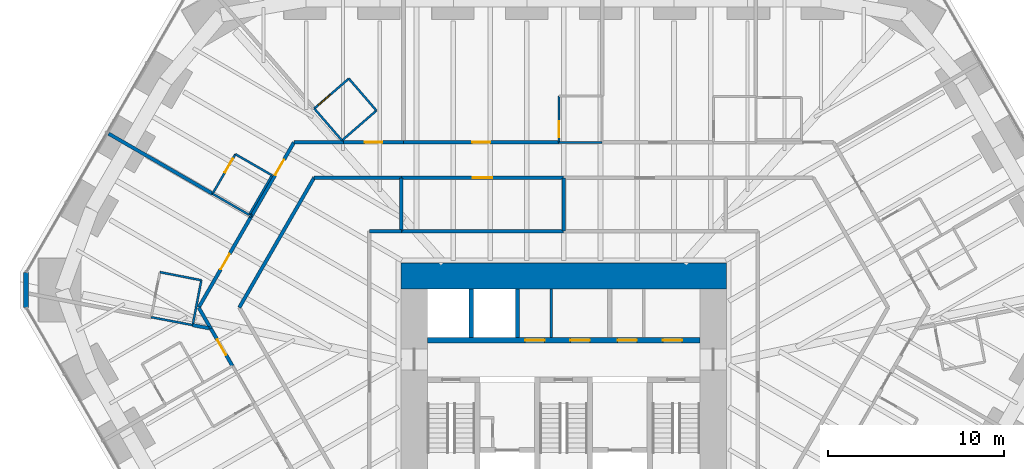
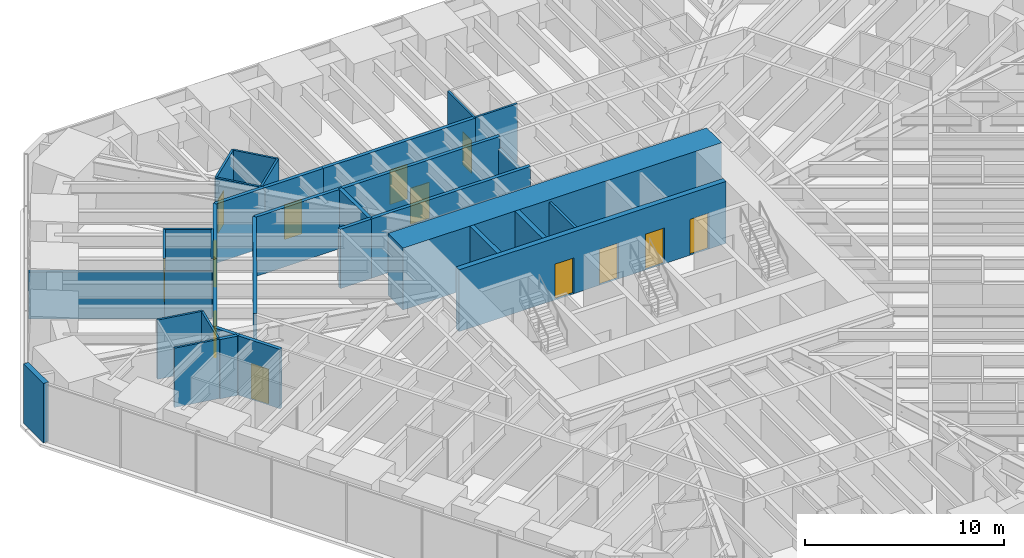
# One storey, part 14 of 17: 36 walls, 13 doors, 13 openings.
"""IFC4 building model written with IfcOpenShell, lengths in metres."""

from ifc_helpers import new_model, si_unit, direction, frame, frame_2d, origin, place, context, subcontext, project, spatial, rectangle, extrude, material, layer, layer_set, type_object, element, fill, save


model = new_model("IFC4")

# Units and contexts
model_context = context("Model", 3, precision=1e-05, world=origin(), true_north=direction((0.0, 1.0)))
body_context = subcontext(model_context, "Body", "Model", "MODEL_VIEW")
ifc_project = project(units=[si_unit("LENGTHUNIT", "METRE"), si_unit("AREAUNIT", "SQUARE_METRE"), si_unit("VOLUMEUNIT", "CUBIC_METRE"), si_unit("PLANEANGLEUNIT", "RADIAN"), si_unit("MASSUNIT", "GRAM", prefix="KILO")], contexts=[model_context])

# Site, building, storey
site_placement = place(None, origin())
site = spatial("IfcSite", under=ifc_project, at=site_placement, CompositionType="ELEMENT")
building_placement = place(site_placement, origin())
building = spatial("IfcBuilding", under=site, at=building_placement, Name="Sandreach Pilgrim Tower", CompositionType="ELEMENT")
storey_placement = place(building_placement, frame((0.0, 0.0, 57.199951171875)))
storey = spatial("IfcBuildingStorey", under=building, at=storey_placement, Name="L13", CompositionType="ELEMENT", Elevation=57.199951171875)

# Walls
ifc_material_1 = material(Name="Gypsum board on steel studs", Category="steel")
ifc_layer_1 = layer(ifc_material_1, 0.14990234375)
ifc_layer_set_1 = layer_set([ifc_layer_1], Name="Back of house wall 150")
wall_type_1 = type_object("IfcWallType", Name="Back of house wall 150", PredefinedType="PARTITIONING", material=ifc_layer_set_1)
wall_1_placement = place(storey_placement, frame((-0.699951171875, 3.35009765625, 0.0), z_axis=(0.0, 0.0, 1.0), x_axis=(0.0, 1.0, 0.0)))
element("IfcWall", 1, at=wall_1_placement, inside=storey, type_object=wall_type_1, Name="Core room partition L13 1", PredefinedType="PARTITIONING", context=body_context, shape_type="SweptSolid", body=[
    extrude(rectangle(XDim=2.75, YDim=0.14990234375, at=frame_2d((1.375, 0.0))), origin(), (0.0, 0.0, 1.0), 3.64013671875),
])
ifc_material_2 = material(Name="Moisture-resistant gypsum board on steel studs", Category="steel")
ifc_layer_2 = layer(ifc_material_2, 0.1201171875)
ifc_layer_set_2 = layer_set([ifc_layer_2], Name="Bathroom partition 120")
wall_type_2 = type_object("IfcWallType", Name="Bathroom partition 120", PredefinedType="PARTITIONING", material=ifc_layer_set_2)
wall_2_placement = place(storey_placement, frame((-23.4599609375, 4.510009765625, 0.0), z_axis=(0.0, 0.0, 1.0), x_axis=(0.982228999139, -0.187686422658, 0.0)))
element("IfcWall", 2, at=wall_2_placement, inside=storey, type_object=wall_type_2, Name="Bathroom partition L13-005", PredefinedType="PARTITIONING", context=body_context, shape_type="SweptSolid", body=[
    extrude(rectangle(XDim=2.402587890625, YDim=0.1201171875, at=frame_2d((1.201171875, 0.0))), origin(), (0.0, 0.0, 1.0), 3.64013671875),
])
wall_3_placement = place(storey_placement, frame((-21.10009765625, 4.06005859375, 0.0), z_axis=(0.0, 0.0, 1.0), x_axis=(0.188697442844, 0.982035271802, 0.0)))
element("IfcWall", 3, at=wall_3_placement, inside=storey, type_object=wall_type_2, Name="Bathroom partition L13-013", PredefinedType="PARTITIONING", context=body_context, shape_type="SweptSolid", body=[
    extrude(rectangle(XDim=2.5966796875, YDim=0.1201171875, at=frame_2d((1.29833984375, 0.0))), origin(), (0.0, 0.0, 1.0), 3.64013671875),
])
wall_4_placement = place(storey_placement, frame((-20.610107421875, 6.610107421875, 0.0), z_axis=(0.0, 0.0, 1.0), x_axis=(-0.981376361672, 0.192094863937, 0.0)))
element("IfcWall", 4, at=wall_4_placement, inside=storey, type_object=wall_type_2, Name="Bathroom partition L13-016", PredefinedType="PARTITIONING", context=body_context, shape_type="SweptSolid", body=[
    extrude(rectangle(XDim=2.39453125, YDim=0.1201171875, at=frame_2d((1.197265625, 0.0))), origin(), (0.0, 0.0, 1.0), 3.64013671875),
])
wall_5_placement = place(storey_placement, frame((-19.969970703125, 11.530029296875, 0.0), z_axis=(0.0, 0.0, 1.0), x_axis=(0.866177122335, -0.499737123639, 0.0)))
element("IfcWall", 5, at=wall_5_placement, inside=storey, type_object=wall_type_2, Name="Bathroom partition L13-021", PredefinedType="PARTITIONING", context=body_context, shape_type="SweptSolid", body=[
    extrude(rectangle(XDim=2.401123046875, YDim=0.1201171875, at=frame_2d((1.20068359375, 0.0))), origin(), (0.0, 0.0, 1.0), 2.8603515625),
])

# Wall, opening, door
wall_6_placement = place(storey_placement, frame((-18.669921875, 13.780029296875, 0.0), z_axis=(0.0, 0.0, 1.0), x_axis=(-0.500291685314, -0.865856933682, 0.0)))
wall_6 = element("IfcWall", 6, at=wall_6_placement, inside=storey, type_object=wall_type_2, Name="Bathroom partition L13-024", PredefinedType="PARTITIONING", context=body_context, shape_type="SweptSolid", body=[
    extrude(rectangle(XDim=2.5986328125, YDim=0.1201171875, at=frame_2d((1.29931640625, 0.0))), origin(), (0.0, 0.0, 1.0), 3.64013671875),
])
opening_1_placement = place(wall_6_placement, frame((0.300048828125, 0.0, 0.0)))
opening_1 = element("IfcOpeningElement", 7, at=opening_1_placement, cuts=wall_6, Name="Opening D09-20B", PredefinedType="OPENING", context=body_context, shape_type="SweptSolid", body=[
    extrude(rectangle(XDim=0.89990234375, YDim=2.030029296875, at=frame_2d((0.449951171875, 1.01513671875))), frame((0.0, 0.06005859375, 0.0), z_axis=(0.0, -1.0, 0.0), x_axis=(1.0, 0.0, 0.0)), (0.0, 0.0, 1.0), 0.1201171875),
])
ifc_material_3 = material(Name="Timber door, steel frame", Category="steel")
door_type_1 = type_object("IfcDoorType", Name="Bathroom door", OperationType="SINGLE_SWING_LEFT", PredefinedType="DOOR", material=ifc_material_3)
door_1_placement = place(opening_1_placement, origin())
door_1 = element("IfcDoor", 8, at=door_1_placement, inside=storey, type_object=door_type_1, Name="Door 1320B", OperationType="SINGLE_SWING_LEFT", OverallHeight=2.030029296875, OverallWidth=0.89990234375, PredefinedType="DOOR", context=body_context, shape_type="SweptSolid", body=[
    extrude(rectangle(XDim=0.89990234375, YDim=2.030029296875, at=frame_2d((0.449951171875, 1.01513671875))), frame((0.0, 0.02490234375, 0.0), z_axis=(0.0, -1.0, 0.0), x_axis=(1.0, 0.0, 0.0)), (0.0, 0.0, 1.0), 0.050048828125),
])
fill(opening_1, door_1)

# Walls
wall_7_placement = place(storey_placement, frame((-17.889892578125, 10.330078125, 0.0), z_axis=(0.0, 0.0, 1.0), x_axis=(0.500221244143, 0.865897630733, 0.0)))
element("IfcWall", 9, at=wall_7_placement, inside=storey, type_object=wall_type_2, Name="Bathroom partition L13-026", PredefinedType="PARTITIONING", context=body_context, shape_type="SweptSolid", body=[
    extrude(rectangle(XDim=2.598388671875, YDim=0.1201171875, at=frame_2d((1.29931640625, 0.0))), origin(), (0.0, 0.0, 1.0), 3.64013671875),
])
wall_8_placement = place(storey_placement, frame((-16.590087890625, 12.580078125, 0.0), z_axis=(0.0, 0.0, 1.0), x_axis=(-0.866177122335, 0.499737123639, 0.0)))
element("IfcWall", 10, at=wall_8_placement, inside=storey, type_object=wall_type_2, Name="Bathroom partition L13-033", PredefinedType="PARTITIONING", context=body_context, shape_type="SweptSolid", body=[
    extrude(rectangle(XDim=2.401123046875, YDim=0.1201171875, at=frame_2d((1.20068359375, 0.0))), origin(), (0.0, 0.0, 1.0), 3.64013671875),
])
wall_9_placement = place(storey_placement, frame((-14.1845703125, 16.3759765625, 0.0), z_axis=(0.0, 0.0, 1.0), x_axis=(0.655147063502, -0.755501373384, 0.0)))
element("IfcWall", 11, at=wall_9_placement, inside=storey, type_object=wall_type_2, Name="Bathroom partition L13-038", PredefinedType="PARTITIONING", context=body_context, shape_type="SweptSolid", body=[
    extrude(rectangle(XDim=2.403564453125, YDim=0.1201171875, at=frame_2d((1.20166015625, 0.0))), origin(), (0.0, 0.0, 1.0), 3.64013671875),
])
wall_10_placement = place(storey_placement, frame((-12.610107421875, 14.56005859375, 0.0), z_axis=(0.0, 0.0, 1.0), x_axis=(0.755437535555, 0.655220672655, 0.0)))
element("IfcWall", 12, at=wall_10_placement, inside=storey, type_object=wall_type_2, Name="Bathroom partition L13-040", PredefinedType="PARTITIONING", context=body_context, shape_type="SweptSolid", body=[
    extrude(rectangle(XDim=2.594482421875, YDim=0.1201171875, at=frame_2d((1.29736328125, 0.0))), origin(), (0.0, 0.0, 1.0), 3.64013671875),
])

# Wall, opening, door
wall_11_placement = place(storey_placement, frame((-12.219970703125, 18.080078125, 0.0), z_axis=(0.0, 0.0, 1.0), x_axis=(-0.755437535555, -0.655220672655, 0.0)))
wall_11 = element("IfcWall", 13, at=wall_11_placement, inside=storey, type_object=wall_type_2, Name="Bathroom partition L13-044", PredefinedType="PARTITIONING", context=body_context, shape_type="SweptSolid", body=[
    extrude(rectangle(XDim=2.594482421875, YDim=0.1201171875, at=frame_2d((1.29736328125, 0.0))), origin(), (0.0, 0.0, 1.0), 3.64013671875),
])
opening_2_placement = place(wall_11_placement, frame((1.39453125, 0.0, 0.0)))
opening_2 = element("IfcOpeningElement", 14, at=opening_2_placement, cuts=wall_11, Name="Opening D09-01B", PredefinedType="OPENING", context=body_context, shape_type="SweptSolid", body=[
    extrude(rectangle(XDim=0.89990234375, YDim=2.030029296875, at=frame_2d((0.449951171875, 1.01513671875))), frame((0.0, 0.06005859375, 0.0), z_axis=(0.0, -1.0, 0.0), x_axis=(1.0, 0.0, 0.0)), (0.0, 0.0, 1.0), 0.1201171875),
])
door_2_placement = place(opening_2_placement, origin())
door_2 = element("IfcDoor", 15, at=door_2_placement, inside=storey, type_object=door_type_1, Name="Door 1301B", OperationType="SINGLE_SWING_RIGHT", OverallHeight=2.030029296875, OverallWidth=0.89990234375, PredefinedType="DOOR", context=body_context, shape_type="SweptSolid", body=[
    extrude(rectangle(XDim=0.89990234375, YDim=2.030029296875, at=frame_2d((0.449951171875, 1.01513671875))), frame((0.0, 0.02490234375, 0.0), z_axis=(0.0, -1.0, 0.0), x_axis=(1.0, 0.0, 0.0)), (0.0, 0.0, 1.0), 0.050048828125),
])
fill(opening_2, door_2)

# Wall
wall_12_placement = place(storey_placement, frame((-10.64990234375, 16.260009765625, 0.0), z_axis=(0.0, 0.0, 1.0), x_axis=(-0.653188728136, 0.757195143563, 0.0)))
element("IfcWall", 16, at=wall_12_placement, inside=storey, type_object=wall_type_2, Name="Bathroom partition L13-048", PredefinedType="PARTITIONING", context=body_context, shape_type="SweptSolid", body=[
    extrude(rectangle(XDim=2.40380859375, YDim=0.1201171875, at=frame_2d((1.201904296875, 0.0))), origin(), (0.0, 0.0, 1.0), 3.64013671875),
])

# Wall, opening, door
wall_13_placement = place(storey_placement, frame((-0.260009765625, 17.10009765625, 0.0), z_axis=(0.0, 0.0, 1.0), x_axis=(-0.00377703432, -0.99999286698, 0.0)))
wall_13 = element("IfcWall", 17, at=wall_13_placement, inside=storey, type_object=wall_type_2, Name="Bathroom partition L13-071", PredefinedType="PARTITIONING", context=body_context, shape_type="SweptSolid", body=[
    extrude(rectangle(XDim=2.650146484375, YDim=0.1201171875, at=frame_2d((1.3251953125, 0.0))), origin(), (0.0, 0.0, 1.0), 3.64013671875),
])
opening_3_placement = place(wall_13_placement, frame((1.449951171875, 0.0, 0.0)))
opening_3 = element("IfcOpeningElement", 18, at=opening_3_placement, cuts=wall_13, Name="Opening D09-02B", PredefinedType="OPENING", context=body_context, shape_type="SweptSolid", body=[
    extrude(rectangle(XDim=0.89990234375, YDim=2.030029296875, at=frame_2d((0.449951171875, 1.01513671875))), frame((0.0, 0.06005859375, 0.0), z_axis=(0.0, -1.0, 0.0), x_axis=(1.0, 0.0, 0.0)), (0.0, 0.0, 1.0), 0.1201171875),
])
door_3_placement = place(opening_3_placement, origin())
door_3 = element("IfcDoor", 19, at=door_3_placement, inside=storey, type_object=door_type_1, Name="Door 1302B", OperationType="SINGLE_SWING_RIGHT", OverallHeight=2.030029296875, OverallWidth=0.89990234375, PredefinedType="DOOR", context=body_context, shape_type="SweptSolid", body=[
    extrude(rectangle(XDim=0.89990234375, YDim=2.030029296875, at=frame_2d((0.449951171875, 1.01513671875))), frame((0.0, 0.02490234375, 0.0), z_axis=(0.0, -1.0, 0.0), x_axis=(1.0, 0.0, 0.0)), (0.0, 0.0, 1.0), 0.050048828125),
])
fill(opening_3, door_3)

# Wall
wall_14_placement = place(storey_placement, frame((2.18994140625, 14.449951171875, 0.0), z_axis=(0.0, 0.0, 1.0), x_axis=(-1.0, 0.0, 0.0)))
element("IfcWall", 20, at=wall_14_placement, inside=storey, type_object=wall_type_2, Name="Bathroom partition L13-084", PredefinedType="PARTITIONING", context=body_context, shape_type="SweptSolid", body=[
    extrude(rectangle(XDim=2.4599609375, YDim=0.1201171875, at=frame_2d((1.22998046875, 0.0))), origin(), (0.0, 0.0, 1.0), 3.64013671875),
])

# Wall, openings, doors
ifc_material_4 = material(Name="Concrete 10000 psi", Category="concrete")
ifc_layer_3 = layer(ifc_material_4, 0.300048828125)
ifc_layer_set_3 = layer_set([ifc_layer_3], Name="Core inner wall 300")
wall_type_3 = type_object("IfcWallType", Name="Core inner wall 300", PredefinedType="SHEAR", material=ifc_layer_set_3)
wall_15_placement = place(storey_placement, frame((-7.75, 3.199951171875, 0.0), z_axis=(0.0, 0.0, 1.0), x_axis=(1.0, 0.0, 0.0)))
wall_15 = element("IfcWall", 21, at=wall_15_placement, inside=storey, type_object=wall_type_3, Name="Core wall PN L13", PredefinedType="SHEAR", context=body_context, shape_type="SweptSolid", body=[
    extrude(rectangle(XDim=15.5, YDim=0.300048828125, at=frame_2d((7.75, 0.0))), origin(), (0.0, 0.0, 1.0), 3.800048828125),
])
opening_4_placement = place(wall_15_placement, frame((5.5625, 0.0, 0.0)))
opening_4 = element("IfcOpeningElement", 22, at=opening_4_placement, cuts=wall_15, Name="Opening D11L", PredefinedType="OPENING", context=body_context, shape_type="SweptSolid", body=[
    extrude(rectangle(XDim=1.10009765625, YDim=2.199951171875, at=frame_2d((0.550048828125, 1.10009765625))), frame((0.0, 0.14990234375, 0.0), z_axis=(0.0, -1.0, 0.0), x_axis=(1.0, 0.0, 0.0)), (0.0, 0.0, 1.0), 0.300048828125),
])
opening_5_placement = place(wall_15_placement, frame((8.137451171875, 0.0, 0.0)))
opening_5 = element("IfcOpeningElement", 23, at=opening_5_placement, cuts=wall_15, Name="Opening D11L", PredefinedType="OPENING", context=body_context, shape_type="SweptSolid", body=[
    extrude(rectangle(XDim=1.10009765625, YDim=2.199951171875, at=frame_2d((0.550048828125, 1.10009765625))), frame((0.0, 0.14990234375, 0.0), z_axis=(0.0, -1.0, 0.0), x_axis=(1.0, 0.0, 0.0)), (0.0, 0.0, 1.0), 0.300048828125),
])
opening_6_placement = place(wall_15_placement, frame((10.8125, 0.0, 0.0)))
opening_6 = element("IfcOpeningElement", 24, at=opening_6_placement, cuts=wall_15, Name="Opening D11L", PredefinedType="OPENING", context=body_context, shape_type="SweptSolid", body=[
    extrude(rectangle(XDim=1.10009765625, YDim=2.199951171875, at=frame_2d((0.550048828125, 1.10009765625))), frame((0.0, 0.14990234375, 0.0), z_axis=(0.0, -1.0, 0.0), x_axis=(1.0, 0.0, 0.0)), (0.0, 0.0, 1.0), 0.300048828125),
])
opening_7_placement = place(wall_15_placement, frame((13.387451171875, 0.0, 0.0)))
opening_7 = element("IfcOpeningElement", 25, at=opening_7_placement, cuts=wall_15, Name="Opening D11L", PredefinedType="OPENING", context=body_context, shape_type="SweptSolid", body=[
    extrude(rectangle(XDim=1.10009765625, YDim=2.199951171875, at=frame_2d((0.550048828125, 1.10009765625))), frame((0.0, 0.14990234375, 0.0), z_axis=(0.0, -1.0, 0.0), x_axis=(1.0, 0.0, 0.0)), (0.0, 0.0, 1.0), 0.300048828125),
])
ifc_material_5 = material(Name="Steel door and frame, smoke seals", Category="steel")
door_type_2 = type_object("IfcDoorType", Name="Core room door", OperationType="SINGLE_SWING_LEFT", PredefinedType="DOOR", material=ifc_material_5)
door_4_placement = place(opening_4_placement, origin())
door_4 = element("IfcDoor", 26, at=door_4_placement, inside=storey, type_object=door_type_2, Name="Door guest pantry 13K1", OperationType="SINGLE_SWING_LEFT", OverallHeight=2.199951171875, OverallWidth=1.10009765625, PredefinedType="DOOR", context=body_context, shape_type="SweptSolid", body=[
    extrude(rectangle(XDim=1.10009765625, YDim=2.199951171875, at=frame_2d((0.550048828125, 1.10009765625))), frame((0.0, 0.02490234375, 0.0), z_axis=(0.0, -1.0, 0.0), x_axis=(1.0, 0.0, 0.0)), (0.0, 0.0, 1.0), 0.050048828125),
])
fill(opening_4, door_4)
door_5_placement = place(opening_5_placement, origin())
door_5 = element("IfcDoor", 27, at=door_5_placement, inside=storey, type_object=door_type_2, Name="Door vending and ice room 13K2", OperationType="SINGLE_SWING_RIGHT", OverallHeight=2.199951171875, OverallWidth=1.10009765625, PredefinedType="DOOR", context=body_context, shape_type="SweptSolid", body=[
    extrude(rectangle(XDim=1.10009765625, YDim=2.199951171875, at=frame_2d((0.550048828125, 1.10009765625))), frame((0.0, 0.02490234375, 0.0), z_axis=(0.0, -1.0, 0.0), x_axis=(1.0, 0.0, 0.0)), (0.0, 0.0, 1.0), 0.050048828125),
])
fill(opening_5, door_5)
door_6_placement = place(opening_6_placement, origin())
door_6 = element("IfcDoor", 28, at=door_6_placement, inside=storey, type_object=door_type_2, Name="Door it room 13K3", OperationType="SINGLE_SWING_RIGHT", OverallHeight=2.199951171875, OverallWidth=1.10009765625, PredefinedType="DOOR", context=body_context, shape_type="SweptSolid", body=[
    extrude(rectangle(XDim=1.10009765625, YDim=2.199951171875, at=frame_2d((0.550048828125, 1.10009765625))), frame((0.0, 0.02490234375, 0.0), z_axis=(0.0, -1.0, 0.0), x_axis=(1.0, 0.0, 0.0)), (0.0, 0.0, 1.0), 0.050048828125),
])
fill(opening_6, door_6)
door_7_placement = place(opening_7_placement, origin())
door_7 = element("IfcDoor", 29, at=door_7_placement, inside=storey, type_object=door_type_2, Name="Door refuse room 13K4", OperationType="SINGLE_SWING_RIGHT", OverallHeight=2.199951171875, OverallWidth=1.10009765625, PredefinedType="DOOR", context=body_context, shape_type="SweptSolid", body=[
    extrude(rectangle(XDim=1.10009765625, YDim=2.199951171875, at=frame_2d((0.550048828125, 1.10009765625))), frame((0.0, 0.02490234375, 0.0), z_axis=(0.0, -1.0, 0.0), x_axis=(1.0, 0.0, 0.0)), (0.0, 0.0, 1.0), 0.050048828125),
])
fill(opening_7, door_7)

# Walls
ifc_material_6 = material(Name="Concrete 10000 psi", Category="concrete")
ifc_layer_4 = layer(ifc_material_6, 1.5)
ifc_layer_set_4 = layer_set([ifc_layer_4], Name="Core wall 1500")
wall_type_4 = type_object("IfcWallType", Name="Core wall 1500", PredefinedType="SHEAR", material=ifc_layer_set_4)
wall_16_placement = place(storey_placement, frame((-9.25, 6.85009765625, 0.0), z_axis=(0.0, 0.0, 1.0), x_axis=(1.0, 0.0, 0.0)))
element("IfcWall", 30, at=wall_16_placement, inside=storey, type_object=wall_type_4, Name="Core wall N L13", PredefinedType="SHEAR", context=body_context, shape_type="SweptSolid", body=[
    extrude(rectangle(XDim=18.5, YDim=1.5, at=frame_2d((9.25, 0.0))), origin(), (0.0, 0.0, 1.0), 3.800048828125),
])
ifc_material_7 = material(Name="Gypsum board on steel studs, two layers each side", Category="steel")
ifc_layer_5 = layer(ifc_material_7, 0.199951171875)
ifc_layer_set_5 = layer_set([ifc_layer_5], Name="Corridor wall 200")
wall_type_5 = type_object("IfcWallType", Name="Corridor wall 200", PredefinedType="PARTITIONING", material=ifc_layer_set_5)
wall_17_placement = place(storey_placement, frame((-20.760009765625, 5.06005859375, 0.0), z_axis=(0.0, 0.0, 1.0), x_axis=(0.49845455473, -0.866915830325, 0.0)))
element("IfcWall", 31, at=wall_17_placement, inside=storey, type_object=wall_type_5, Name="Corridor wall L13-014", PredefinedType="PARTITIONING", context=body_context, shape_type="SweptSolid", body=[
    extrude(rectangle(XDim=1.38427734375, YDim=0.199951171875, at=frame_2d((0.692138671875, 0.0))), origin(), (0.0, 0.0, 1.0), 3.64013671875),
])

# Wall, opening, door
wall_18_placement = place(storey_placement, frame((-20.74755859375, 5.08154296875, 0.0), z_axis=(0.0, 0.0, 1.0), x_axis=(0.499925128535, 0.86606862653, 0.0)))
wall_18 = element("IfcWall", 32, at=wall_18_placement, inside=storey, type_object=wall_type_5, Name="Corridor wall L13-015", PredefinedType="PARTITIONING", context=body_context, shape_type="SweptSolid", body=[
    extrude(rectangle(XDim=5.978515625, YDim=0.199951171875, at=frame_2d((2.9892578125, 0.0))), origin(), (0.0, 0.0, 1.0), 3.64013671875),
])
opening_8_placement = place(wall_18_placement, frame((2.489013671875, 0.0, 0.0)))
opening_8 = element("IfcOpeningElement", 33, at=opening_8_placement, cuts=wall_18, Name="Opening D10-19", PredefinedType="OPENING", context=body_context, shape_type="SweptSolid", body=[
    extrude(rectangle(XDim=1.0, YDim=2.1298828125, at=frame_2d((0.5, 1.06494140625))), frame((0.0, 0.10009765625, 0.0), z_axis=(0.0, -1.0, 0.0), x_axis=(1.0, 0.0, 0.0)), (0.0, 0.0, 1.0), 0.199951171875),
])
ifc_material_8 = material(Name="Steel door and frame", Category="steel")
door_type_3 = type_object("IfcDoorType", Name="Guest room entry door", OperationType="SINGLE_SWING_LEFT", PredefinedType="DOOR", material=ifc_material_8)
door_8_placement = place(opening_8_placement, origin())
door_8 = element("IfcDoor", 34, at=door_8_placement, inside=storey, type_object=door_type_3, Name="Door 1319", OperationType="SINGLE_SWING_LEFT", OverallHeight=2.1298828125, OverallWidth=1.0, PredefinedType="DOOR", context=body_context, shape_type="SweptSolid", body=[
    extrude(rectangle(XDim=1.0, YDim=2.1298828125, at=frame_2d((0.5, 1.06494140625))), frame((0.0, 0.02490234375, 0.0), z_axis=(0.0, -1.0, 0.0), x_axis=(1.0, 0.0, 0.0)), (0.0, 0.0, 1.0), 0.050048828125),
])
fill(opening_8, door_8)

wall_19_placement = place(storey_placement, frame((-20.06982421875, 3.860107421875, 0.0), z_axis=(0.0, 0.0, 1.0), x_axis=(0.501738959866, -0.865019084271, 0.0)))
wall_19 = element("IfcWall", 35, at=wall_19_placement, inside=storey, type_object=wall_type_5, Name="Corridor wall L13-020", PredefinedType="PARTITIONING", context=body_context, shape_type="SweptSolid", body=[
    extrude(rectangle(XDim=2.450927734375, YDim=0.199951171875, at=frame_2d((1.2255859375, 0.0))), origin(), (0.0, 0.0, 1.0), 3.64013671875),
])
opening_9_placement = place(wall_19_placement, frame((0.7255859375, 0.0, 0.0)))
opening_9 = element("IfcOpeningElement", 36, at=opening_9_placement, cuts=wall_19, Name="Opening D10-18", PredefinedType="OPENING", context=body_context, shape_type="SweptSolid", body=[
    extrude(rectangle(XDim=1.0, YDim=2.1298828125, at=frame_2d((0.5, 1.06494140625))), frame((0.0, 0.10009765625, 0.0), z_axis=(0.0, -1.0, 0.0), x_axis=(1.0, 0.0, 0.0)), (0.0, 0.0, 1.0), 0.199951171875),
])
door_9_placement = place(opening_9_placement, origin())
door_9 = element("IfcDoor", 37, at=door_9_placement, inside=storey, type_object=door_type_3, Name="Door 1318", OperationType="SINGLE_SWING_LEFT", OverallHeight=2.1298828125, OverallWidth=1.0, PredefinedType="DOOR", context=body_context, shape_type="SweptSolid", body=[
    extrude(rectangle(XDim=1.0, YDim=2.1298828125, at=frame_2d((0.5, 1.06494140625))), frame((0.0, 0.02490234375, 0.0), z_axis=(0.0, -1.0, 0.0), x_axis=(1.0, 0.0, 0.0)), (0.0, 0.0, 1.0), 0.050048828125),
])
fill(opening_9, door_9)

# Wall
wall_20_placement = place(storey_placement, frame((-18.449951171875, 5.06005859375, 0.0), z_axis=(0.0, 0.0, 1.0), x_axis=(0.499424260127, 0.866357552282, 0.0)))
element("IfcWall", 38, at=wall_20_placement, inside=storey, type_object=wall_type_5, Name="Corridor wall L13-025", PredefinedType="PARTITIONING", context=body_context, shape_type="SweptSolid", body=[
    extrude(rectangle(XDim=8.52978515625, YDim=0.199951171875, at=frame_2d((4.264892578125, 0.0))), origin(), (0.0, 0.0, 1.0), 3.64013671875),
])

# Wall, opening, door
wall_21_placement = place(storey_placement, frame((-17.7587890625, 10.25927734375, 0.0), z_axis=(0.0, 0.0, 1.0), x_axis=(0.499878240725, 0.866095690123, 0.0)))
wall_21 = element("IfcWall", 39, at=wall_21_placement, inside=storey, type_object=wall_type_5, Name="Corridor wall L13-028", PredefinedType="PARTITIONING", context=body_context, shape_type="SweptSolid", body=[
    extrude(rectangle(XDim=4.838623046875, YDim=0.199951171875, at=frame_2d((2.41943359375, 0.0))), origin(), (0.0, 0.0, 1.0), 3.64013671875),
])
opening_10_placement = place(wall_21_placement, frame((2.699951171875, 0.0, 0.0)))
opening_10 = element("IfcOpeningElement", 40, at=opening_10_placement, cuts=wall_21, Name="Opening D10-20", PredefinedType="OPENING", context=body_context, shape_type="SweptSolid", body=[
    extrude(rectangle(XDim=1.0, YDim=2.1298828125, at=frame_2d((0.5, 1.06494140625))), frame((0.0, 0.10009765625, 0.0), z_axis=(0.0, -1.0, 0.0), x_axis=(1.0, 0.0, 0.0)), (0.0, 0.0, 1.0), 0.199951171875),
])
door_10_placement = place(opening_10_placement, origin())
door_10 = element("IfcDoor", 41, at=door_10_placement, inside=storey, type_object=door_type_3, Name="Door 1320", OperationType="SINGLE_SWING_RIGHT", OverallHeight=2.1298828125, OverallWidth=1.0, PredefinedType="DOOR", context=body_context, shape_type="SweptSolid", body=[
    extrude(rectangle(XDim=1.0, YDim=2.1298828125, at=frame_2d((0.5, 1.06494140625))), frame((0.0, 0.02490234375, 0.0), z_axis=(0.0, -1.0, 0.0), x_axis=(1.0, 0.0, 0.0)), (0.0, 0.0, 1.0), 0.050048828125),
])
fill(opening_10, door_10)

# Walls
wall_22_placement = place(storey_placement, frame((-14.18994140625, 12.449951171875, 0.0), z_axis=(0.0, 0.0, 1.0), x_axis=(1.0, 0.0, 0.0)))
element("IfcWall", 42, at=wall_22_placement, inside=storey, type_object=wall_type_5, Name="Corridor wall L13-037", PredefinedType="PARTITIONING", context=body_context, shape_type="SweptSolid", body=[
    extrude(rectangle(XDim=4.9599609375, YDim=0.199951171875, at=frame_2d((2.47998046875, 0.0))), origin(), (0.0, 0.0, 1.0), 3.64013671875),
])
wall_23_placement = place(storey_placement, frame((-12.510009765625, 14.449951171875, 0.0), z_axis=(0.0, 0.0, 1.0), x_axis=(-1.0, 0.0, 0.0)))
element("IfcWall", 43, at=wall_23_placement, inside=storey, type_object=wall_type_5, Name="Corridor wall L13-041", PredefinedType="PARTITIONING", context=body_context, shape_type="SweptSolid", body=[
    extrude(rectangle(XDim=2.830078125, YDim=0.199951171875, at=frame_2d((1.4150390625, 0.0))), origin(), (0.0, 0.0, 1.0), 3.64013671875),
])
wall_24_placement = place(storey_placement, frame((-9.22998046875, 9.39990234375, 0.0), z_axis=(0.0, 0.0, 1.0), x_axis=(-1.0, 0.0, 0.0)))
element("IfcWall", 44, at=wall_24_placement, inside=storey, type_object=wall_type_5, Name="Corridor wall L13-053", PredefinedType="PARTITIONING", context=body_context, shape_type="SweptSolid", body=[
    extrude(rectangle(XDim=1.81005859375, YDim=0.199951171875, at=frame_2d((0.905029296875, 0.0))), origin(), (0.0, 0.0, 1.0), 3.64013671875),
])

# Wall, opening, door
wall_25_placement = place(storey_placement, frame((-9.22998046875, 12.449951171875, 0.0), z_axis=(0.0, 0.0, 1.0), x_axis=(1.0, 0.0, 0.0)))
wall_25 = element("IfcWall", 45, at=wall_25_placement, inside=storey, type_object=wall_type_5, Name="Corridor wall L13-055", PredefinedType="PARTITIONING", context=body_context, shape_type="SweptSolid", body=[
    extrude(rectangle(XDim=9.22998046875, YDim=0.199951171875, at=frame_2d((4.614990234375, 0.0))), origin(), (0.0, 0.0, 1.0), 3.64013671875),
])
opening_11_placement = place(wall_25_placement, frame((4.06494140625, 0.0, 0.0)))
opening_11 = element("IfcOpeningElement", 46, at=opening_11_placement, cuts=wall_25, Name="Opening D11H-M02", PredefinedType="OPENING", context=body_context, shape_type="SweptSolid", body=[
    extrude(rectangle(XDim=1.10009765625, YDim=2.199951171875, at=frame_2d((0.550048828125, 1.10009765625))), frame((0.0, 0.10009765625, 0.0), z_axis=(0.0, -1.0, 0.0), x_axis=(1.0, 0.0, 0.0)), (0.0, 0.0, 1.0), 0.199951171875),
])
ifc_material_9 = material(Name="Steel door and frame", Category="steel")
door_type_4 = type_object("IfcDoorType", Name="Back of house door", OperationType="SINGLE_SWING_LEFT", PredefinedType="DOOR", material=ifc_material_9)
door_11_placement = place(opening_11_placement, origin())
door_11 = element("IfcDoor", 47, at=door_11_placement, inside=storey, type_object=door_type_4, Name="Door 13M02", OperationType="SINGLE_SWING_LEFT", OverallHeight=2.199951171875, OverallWidth=1.10009765625, PredefinedType="DOOR", context=body_context, shape_type="SweptSolid", body=[
    extrude(rectangle(XDim=1.10009765625, YDim=2.199951171875, at=frame_2d((0.550048828125, 1.10009765625))), frame((0.0, 0.02490234375, 0.0), z_axis=(0.0, -1.0, 0.0), x_axis=(1.0, 0.0, 0.0)), (0.0, 0.0, 1.0), 0.050048828125),
])
fill(opening_11, door_11)

wall_26_placement = place(storey_placement, frame((-9.110107421875, 14.449951171875, 0.0), z_axis=(0.0, 0.0, 1.0), x_axis=(-1.0, 0.0, 0.0)))
wall_26 = element("IfcWall", 48, at=wall_26_placement, inside=storey, type_object=wall_type_5, Name="Corridor wall L13-056", PredefinedType="PARTITIONING", context=body_context, shape_type="SweptSolid", body=[
    extrude(rectangle(XDim=3.39990234375, YDim=0.199951171875, at=frame_2d((1.699951171875, 0.0))), origin(), (0.0, 0.0, 1.0), 3.64013671875),
])
opening_12_placement = place(wall_26_placement, frame((1.199951171875, 0.0, 0.0)))
opening_12 = element("IfcOpeningElement", 49, at=opening_12_placement, cuts=wall_26, Name="Opening D10-01", PredefinedType="OPENING", context=body_context, shape_type="SweptSolid", body=[
    extrude(rectangle(XDim=1.0, YDim=2.1298828125, at=frame_2d((0.5, 1.06494140625))), frame((0.0, 0.10009765625, 0.0), z_axis=(0.0, -1.0, 0.0), x_axis=(1.0, 0.0, 0.0)), (0.0, 0.0, 1.0), 0.199951171875),
])
door_12_placement = place(opening_12_placement, origin())
door_12 = element("IfcDoor", 50, at=door_12_placement, inside=storey, type_object=door_type_3, Name="Door 1301", OperationType="SINGLE_SWING_LEFT", OverallHeight=2.1298828125, OverallWidth=1.0, PredefinedType="DOOR", context=body_context, shape_type="SweptSolid", body=[
    extrude(rectangle(XDim=1.0, YDim=2.1298828125, at=frame_2d((0.5, 1.06494140625))), frame((0.0, 0.02490234375, 0.0), z_axis=(0.0, -1.0, 0.0), x_axis=(1.0, 0.0, 0.0)), (0.0, 0.0, 1.0), 0.050048828125),
])
fill(opening_12, door_12)

wall_27_placement = place(storey_placement, frame((-0.27001953125, 14.449951171875, 0.0), z_axis=(0.0, 0.0, 1.0), x_axis=(-1.0, 0.0, 0.0)))
wall_27 = element("IfcWall", 51, at=wall_27_placement, inside=storey, type_object=wall_type_5, Name="Corridor wall L13-070", PredefinedType="PARTITIONING", context=body_context, shape_type="SweptSolid", body=[
    extrude(rectangle(XDim=8.840087890625, YDim=0.199951171875, at=frame_2d((4.419921875, 0.0))), origin(), (0.0, 0.0, 1.0), 3.64013671875),
])
opening_13_placement = place(wall_27_placement, frame((3.919921875, 0.0, 0.0)))
opening_13 = element("IfcOpeningElement", 52, at=opening_13_placement, cuts=wall_27, Name="Opening D10-02", PredefinedType="OPENING", context=body_context, shape_type="SweptSolid", body=[
    extrude(rectangle(XDim=1.0, YDim=2.1298828125, at=frame_2d((0.5, 1.06494140625))), frame((0.0, 0.10009765625, 0.0), z_axis=(0.0, -1.0, 0.0), x_axis=(1.0, 0.0, 0.0)), (0.0, 0.0, 1.0), 0.199951171875),
])
door_13_placement = place(opening_13_placement, origin())
door_13 = element("IfcDoor", 53, at=door_13_placement, inside=storey, type_object=door_type_3, Name="Door 1302", OperationType="SINGLE_SWING_LEFT", OverallHeight=2.1298828125, OverallWidth=1.0, PredefinedType="DOOR", context=body_context, shape_type="SweptSolid", body=[
    extrude(rectangle(XDim=1.0, YDim=2.1298828125, at=frame_2d((0.5, 1.06494140625))), frame((0.0, 0.02490234375, 0.0), z_axis=(0.0, -1.0, 0.0), x_axis=(1.0, 0.0, 0.0)), (0.0, 0.0, 1.0), 0.050048828125),
])
fill(opening_13, door_13)

# Walls
wall_28_placement = place(storey_placement, frame((0.0, 9.39990234375, 0.0), z_axis=(0.0, 0.0, 1.0), x_axis=(-1.0, 0.0, 0.0)))
element("IfcWall", 54, at=wall_28_placement, inside=storey, type_object=wall_type_5, Name="Corridor wall L13-079", PredefinedType="PARTITIONING", context=body_context, shape_type="SweptSolid", body=[
    extrude(rectangle(XDim=9.22998046875, YDim=0.199951171875, at=frame_2d((4.614990234375, 0.0))), origin(), (0.0, 0.0, 1.0), 3.64013671875),
])
ifc_material_10 = material(Name="Double steel stud acoustic wall, gypsum board", Category="steel")
ifc_layer_6 = layer(ifc_material_10, 0.199951171875)
ifc_layer_set_6 = layer_set([ifc_layer_6], Name="Party wall 200")
wall_type_6 = type_object("IfcWallType", Name="Party wall 200", PredefinedType="PARTITIONING", material=ifc_layer_set_6)
wall_29_placement = place(storey_placement, frame((-25.88623046875, 14.949951171875, 0.0), z_axis=(0.0, 0.0, 1.0), x_axis=(0.865761194987, -0.500457344092, 0.0)))
element("IfcWall", 55, at=wall_29_placement, inside=storey, type_object=wall_type_6, Name="Party wall L13-003", PredefinedType="PARTITIONING", context=body_context, shape_type="SweptSolid", body=[
    extrude(rectangle(XDim=6.83349609375, YDim=0.199951171875, at=frame_2d((3.416748046875, 0.0))), origin(), (0.0, 0.0, 1.0), 2.8603515625),
])
wall_30_placement = place(storey_placement, frame((-21.10009765625, 4.05908203125, 0.0), z_axis=(0.0, 0.0, 1.0), x_axis=(0.981823396721, -0.189796779877, 0.0)))
element("IfcWall", 56, at=wall_30_placement, inside=storey, type_object=wall_type_6, Name="Party wall L13-012", PredefinedType="PARTITIONING", context=body_context, shape_type="SweptSolid", body=[
    extrude(rectangle(XDim=0.944091796875, YDim=0.199951171875, at=frame_2d((0.47216796875, 0.0))), origin(), (0.0, 0.0, 1.0), 3.64013671875),
])
wall_31_placement = place(storey_placement, frame((-17.837158203125, 10.301513671875, 0.0), z_axis=(0.0, 0.0, 1.0), x_axis=(0.880650010303, -0.473767410606, 0.0)))
element("IfcWall", 57, at=wall_31_placement, inside=storey, type_object=wall_type_6, Name="Party wall L13-027", PredefinedType="PARTITIONING", context=body_context, shape_type="SweptSolid", body=[
    extrude(rectangle(XDim=0.087646484375, YDim=0.199951171875, at=frame_2d((0.0439453125, 0.0))), origin(), (0.0, 0.0, 1.0), 3.64013671875),
])
wall_32_placement = place(storey_placement, frame((-9.22998046875, 12.43994140625, 0.0), z_axis=(0.0, 0.0, 1.0), x_axis=(0.0, -1.0, 0.0)))
element("IfcWall", 58, at=wall_32_placement, inside=storey, type_object=wall_type_6, Name="Party wall L13-054", PredefinedType="PARTITIONING", context=body_context, shape_type="SweptSolid", body=[
    extrude(rectangle(XDim=3.02490234375, YDim=0.199951171875, at=frame_2d((1.512451171875, 0.0))), origin(), (0.0, 0.0, 1.0), 3.64013671875),
])
wall_33_placement = place(storey_placement, frame((0.0, 12.43994140625, 0.0), z_axis=(0.0, 0.0, 1.0), x_axis=(0.0, -1.0, 0.0)))
element("IfcWall", 59, at=wall_33_placement, inside=storey, type_object=wall_type_6, Name="Party wall L13-080", PredefinedType="PARTITIONING", context=body_context, shape_type="SweptSolid", body=[
    extrude(rectangle(XDim=3.02490234375, YDim=0.199951171875, at=frame_2d((1.512451171875, 0.0))), origin(), (0.0, 0.0, 1.0), 2.8779296875),
])
ifc_material_11 = material(Name="Gypsum shaft wall on steel studs, two layers of shaft liner board", Category="steel")
ifc_layer_7 = layer(ifc_material_11, 0.25)
ifc_layer_set_7 = layer_set([ifc_layer_7], Name="Shaft partition 250")
wall_type_7 = type_object("IfcWallType", Name="Shaft partition 250", PredefinedType="PARTITIONING", material=ifc_layer_set_7)
for number, where, z_axis, x_axis, name in (
    (60, (-5.25, 3.35009765625, 0.0), (0.0, 0.0, 1.0), (0.0, 1.0, 0.0), "Shaft partition NS0 L13"),
    (61, (-2.625, 3.35009765625, 0.0), (0.0, 0.0, 1.0), (0.0, 1.0, 0.0), "Shaft partition NS1 L13"),
):
    element("IfcWall", number, at=place(storey_placement, frame(where, z_axis=z_axis, x_axis=x_axis)), inside=storey, type_object=wall_type_7, Name=name, PredefinedType="PARTITIONING", context=body_context, shape_type="SweptSolid", body=[
        extrude(rectangle(XDim=2.75, YDim=0.25, at=frame_2d((1.375, 0.0))), origin(), (0.0, 0.0, 1.0), 3.800048828125),
    ])
ifc_material_12 = material(Name="Terracotta rainscreen on concrete", Category="masonry")
ifc_layer_8 = layer(ifc_material_12, 0.300048828125)
ifc_layer_set_8 = layer_set([ifc_layer_8], Name="Terracotta chamfer pier")
wall_type_8 = type_object("IfcWallType", Name="Terracotta chamfer pier", PredefinedType="SOLIDWALL", material=ifc_layer_set_8)
wall_34_placement = place(storey_placement, frame((-30.576171875, 5.062255859375, 0.0), z_axis=(0.0, 0.0, 1.0), x_axis=(0.0, 1.0, 0.0)))
element("IfcWall", 62, at=wall_34_placement, inside=storey, type_object=wall_type_8, Name="Chamfer pier L13 SW", PredefinedType="SOLIDWALL", context=body_context, shape_type="SweptSolid", body=[
    extrude(rectangle(XDim=2.0, YDim=0.300048828125, at=frame_2d((1.0, 0.0))), origin(), (0.0, 0.0, 1.0), 3.64013671875),
])

save(model, "model.ifc")
